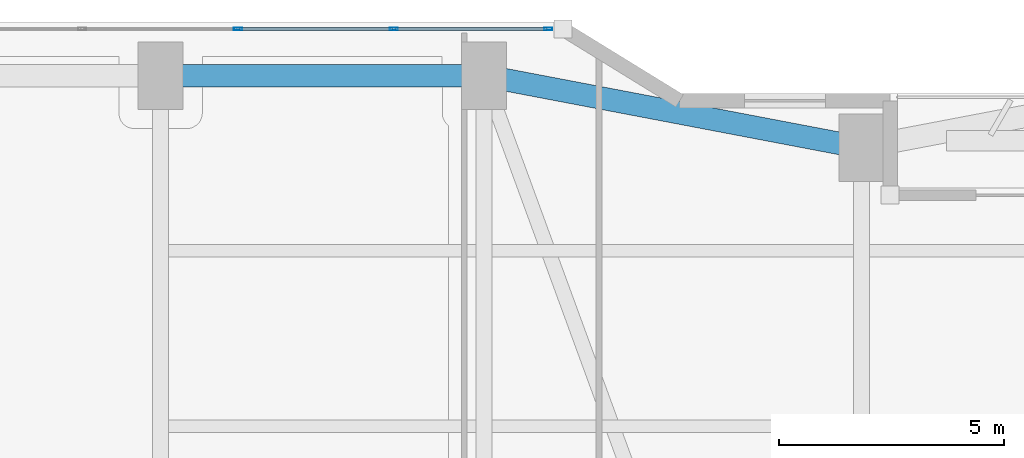
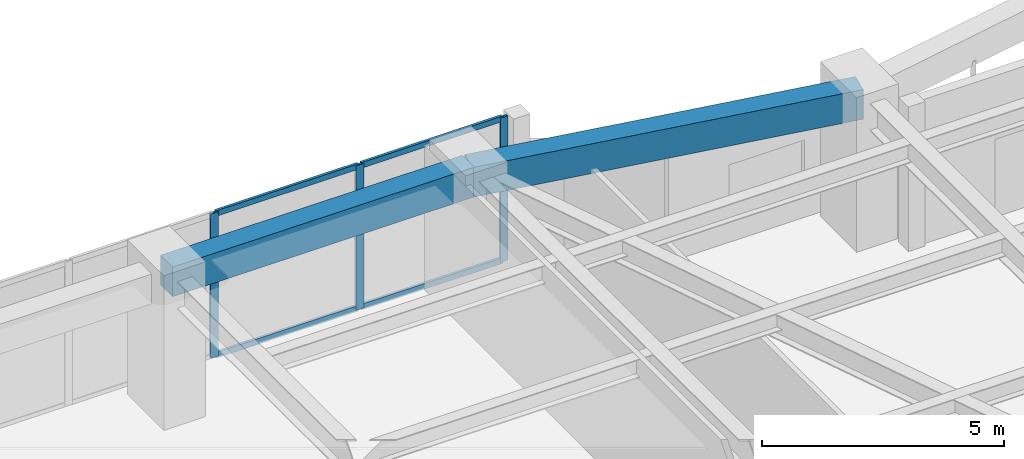
# One storey, part 17 of 29: 7 members, 2 beams, 1 element without a shape of its own.
"""IFC4 building model written with IfcOpenShell, lengths in metres."""

from ifc_helpers import new_model, si_unit, direction, frame, origin, origin_2d, place, context, subcontext, project, spatial, rectangle, hollow_rectangle, extrude, material, layer, layer_set, material_profile, profile_set, type_object, element, aggregate, save


model = new_model("IFC4")

# Units and contexts
model_context = context("Model", 3, precision=1e-05, world=origin(), true_north=direction((0.0, 1.0)))
body_context = subcontext(model_context, "Body", "Model", "MODEL_VIEW")
ifc_project = project(units=[si_unit("LENGTHUNIT", "METRE"), si_unit("AREAUNIT", "SQUARE_METRE"), si_unit("VOLUMEUNIT", "CUBIC_METRE"), si_unit("PLANEANGLEUNIT", "RADIAN"), si_unit("MASSUNIT", "GRAM", prefix="KILO")], contexts=[model_context])

# Site, building, storey
site_placement = place(None, origin())
site = spatial("IfcSite", under=ifc_project, at=site_placement, CompositionType="ELEMENT")
building_placement = place(site_placement, origin())
building = spatial("IfcBuilding", under=site, at=building_placement, Name="Kiyonajd Concourse Tower", CompositionType="ELEMENT")
storey_placement = place(building_placement, frame((0.0, 0.0, 52.800048828125)))
storey = spatial("IfcBuildingStorey", under=building, at=storey_placement, Name="L14", CompositionType="ELEMENT", Elevation=52.800048828125)

# Beams
ifc_material_1 = material(Name="Precast concrete C50/60", Category="concrete")
ifc_material_profile_1 = material_profile(ifc_material_1, rectangle(XDim=0.5, YDim=0.75, at=origin_2d()), Name="RCBM-500x750")
ifc_profile_set_1 = profile_set([ifc_material_profile_1], Name="Precast concrete C50/60")
beam_type = type_object("IfcBeamType", Name="BM-SPAN-RC", PredefinedType="SPANDREL", material=ifc_profile_set_1)
beam_1_placement = place(storey_placement, frame((48.0, 59.60009765625, 3.264892578125), z_axis=(-0.982341315253, 0.187097675953, 0.0), x_axis=(-0.187097675953, -0.982341315253, 0.0)))
element("IfcBeam", 1, at=beam_1_placement, inside=storey, type_object=beam_type, Name="L14 Perimeter Bundled Tube Spandrel", PredefinedType="SPANDREL", context=body_context, shape_type="SweptSolid", body=[
    extrude(rectangle(XDim=0.5, YDim=0.75, at=origin_2d()), origin(), (0.0, 0.0, 1.0), 8.55078125),
])
beam_2_placement = place(storey_placement, frame((39.60009765625, 61.199951171875, 3.264892578125), z_axis=(-1.0, 0.0, 0.0), x_axis=(0.0, -1.0, 0.0)))
element("IfcBeam", 2, at=beam_2_placement, inside=storey, type_object=beam_type, Name="L14 Perimeter Bundled Tube Spandrel", PredefinedType="SPANDREL", context=body_context, shape_type="SweptSolid", body=[
    extrude(rectangle(XDim=0.5, YDim=0.75, at=origin_2d()), origin(), (0.0, 0.0, 1.0), 7.2001953125),
])

# Curtain wall, members
ifc_material_2 = material(Name="Thermally Broken Anodised Aluminium", Category="aluminium")
ifc_layer = layer(ifc_material_2, 0.179931640625)
ifc_layer_set = layer_set([ifc_layer], Name="Thermally Broken Anodised Aluminium")
curtain_wall_type = type_object("IfcCurtainWallType", Name="CW-SYS-02", PredefinedType="NOTDEFINED", material=ifc_layer_set)
curtain_wall_placement = place(storey_placement, origin())
curtain_wall = element("IfcCurtainWall", 3, at=curtain_wall_placement, inside=storey, type_object=curtain_wall_type, Name="L14 Unitised Curtain Wall CW2", PredefinedType="NOTDEFINED")
ifc_material_profile_2 = material_profile(ifc_material_2, hollow_rectangle(XDim=0.06494140625, YDim=0.179931640625, WallThickness=0.00390625, at=origin_2d()), Name="MULL-65x180")
ifc_profile_set_2 = profile_set([ifc_material_profile_2], Name="Thermally Broken Anodised Aluminium")
member_type_1 = type_object("IfcMemberType", Name="MB-CW-MULL1", PredefinedType="MULLION", material=ifc_profile_set_2)
member_1_placement = place(storey_placement, frame((34.123291015625, 62.239990234375, 0.0), z_axis=(0.0, 0.0, 1.0), x_axis=(0.0, 1.0, 0.0)))
member_1 = element("IfcMember", 4, at=member_1_placement, type_object=member_type_1, Name="CW2 mullion 4", PredefinedType="MULLION", context=body_context, shape_type="SweptSolid", body=[
    extrude(hollow_rectangle(XDim=0.06494140625, YDim=0.179931640625, WallThickness=0.00390625, at=origin_2d()), origin(), (0.0, 0.0, 1.0), 3.639892578125),
])
member_2_placement = place(storey_placement, frame((37.593994140625, 62.239990234375, 0.0), z_axis=(0.0, 0.0, 1.0), x_axis=(0.0, 1.0, 0.0)))
member_2 = element("IfcMember", 5, at=member_2_placement, type_object=member_type_1, Name="CW2 mullion 5", PredefinedType="MULLION", context=body_context, shape_type="SweptSolid", body=[
    extrude(hollow_rectangle(XDim=0.06494140625, YDim=0.179931640625, WallThickness=0.00390625, at=origin_2d()), origin(), (0.0, 0.0, 1.0), 3.639892578125),
])
member_3_placement = place(storey_placement, frame((41.0322265625, 62.239990234375, 0.0), z_axis=(0.0, 0.0, 1.0), x_axis=(0.0, 1.0, 0.0)))
member_3 = element("IfcMember", 6, at=member_3_placement, type_object=member_type_1, Name="CW2 mullion 6", PredefinedType="MULLION", context=body_context, shape_type="SweptSolid", body=[
    extrude(hollow_rectangle(XDim=0.06494140625, YDim=0.179931640625, WallThickness=0.00390625, at=origin_2d()), origin(), (0.0, 0.0, 1.0), 3.639892578125),
])
ifc_material_profile_3 = material_profile(ifc_material_2, hollow_rectangle(XDim=0.06494140625, YDim=0.139892578125, WallThickness=0.00390625, at=origin_2d()), Name="TRAN-65x140")
ifc_profile_set_3 = profile_set([ifc_material_profile_3], Name="Thermally Broken Anodised Aluminium")
member_type_2 = type_object("IfcMemberType", Name="MB-CW-TRAN1", PredefinedType="USERDEFINED", material=ifc_profile_set_3)
member_4_placement = place(storey_placement, frame((34.15576171875, 62.239990234375, 0.032470703125), z_axis=(1.0, 0.0, 0.0), x_axis=(0.0, 1.0, 0.0)))
member_4 = element("IfcMember", 7, at=member_4_placement, type_object=member_type_2, Name="CW2 transom 4.1", ObjectType="TRANSOM", PredefinedType="USERDEFINED", context=body_context, shape_type="SweptSolid", body=[
    extrude(hollow_rectangle(XDim=0.06494140625, YDim=0.139892578125, WallThickness=0.00390625, at=origin_2d()), origin(), (0.0, 0.0, 1.0), 3.40576171875),
])
member_5_placement = place(storey_placement, frame((34.15576171875, 62.239990234375, 3.607421875), z_axis=(1.0, 0.0, 0.0), x_axis=(0.0, 1.0, 0.0)))
member_5 = element("IfcMember", 8, at=member_5_placement, type_object=member_type_2, Name="CW2 transom 4.2", ObjectType="TRANSOM", PredefinedType="USERDEFINED", context=body_context, shape_type="SweptSolid", body=[
    extrude(hollow_rectangle(XDim=0.06494140625, YDim=0.139892578125, WallThickness=0.00390625, at=origin_2d()), origin(), (0.0, 0.0, 1.0), 3.40576171875),
])
member_6_placement = place(storey_placement, frame((37.62646484375, 62.239990234375, 0.032470703125), z_axis=(1.0, 0.0, 0.0), x_axis=(0.0, 1.0, 0.0)))
member_6 = element("IfcMember", 9, at=member_6_placement, type_object=member_type_2, Name="CW2 transom 5.1", ObjectType="TRANSOM", PredefinedType="USERDEFINED", context=body_context, shape_type="SweptSolid", body=[
    extrude(hollow_rectangle(XDim=0.06494140625, YDim=0.139892578125, WallThickness=0.00390625, at=origin_2d()), origin(), (0.0, 0.0, 1.0), 3.373291015625),
])
member_7_placement = place(storey_placement, frame((37.62646484375, 62.239990234375, 3.607421875), z_axis=(1.0, 0.0, 0.0), x_axis=(0.0, 1.0, 0.0)))
member_7 = element("IfcMember", 10, at=member_7_placement, type_object=member_type_2, Name="CW2 transom 5.2", ObjectType="TRANSOM", PredefinedType="USERDEFINED", context=body_context, shape_type="SweptSolid", body=[
    extrude(hollow_rectangle(XDim=0.06494140625, YDim=0.139892578125, WallThickness=0.00390625, at=origin_2d()), origin(), (0.0, 0.0, 1.0), 3.373291015625),
])
aggregate(curtain_wall, [member_1, member_2, member_3, member_4, member_5, member_6, member_7])

save(model, "model.ifc")
